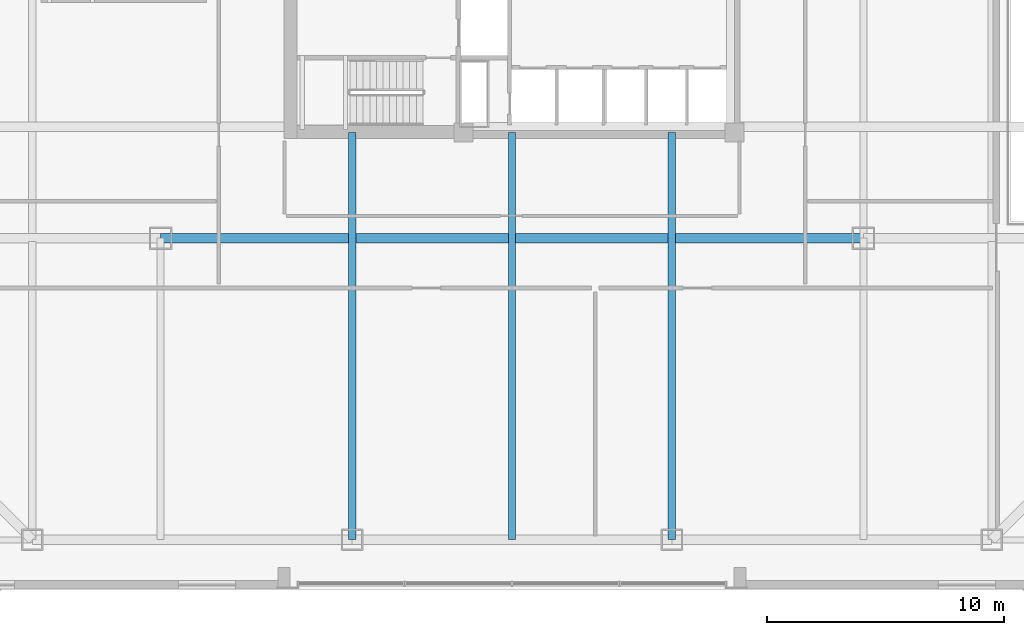
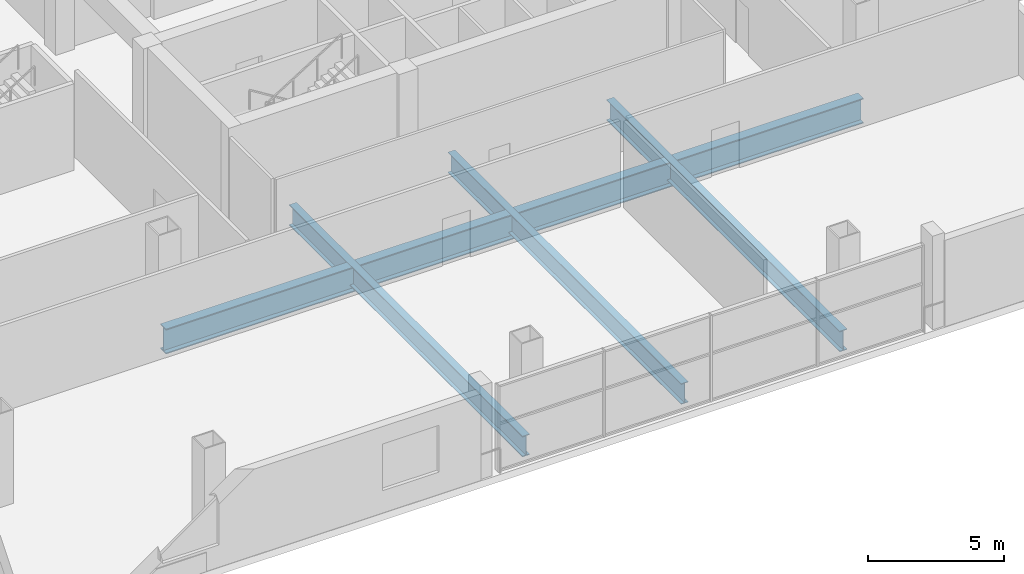
# One storey, part 5 of 21: 4 beams.
"""IFC4 building model written with IfcOpenShell, lengths in metres."""

from ifc_helpers import new_model, si_unit, direction, frame, origin, origin_2d, place, context, subcontext, project, spatial, i_section, extrude, material, material_profile, profile_set, type_object, element, save


model = new_model("IFC4")

# Units and contexts
model_context = context("Model", 3, precision=1e-05, world=origin(), true_north=direction((0.0, 1.0)))
body_context = subcontext(model_context, "Body", "Model", "MODEL_VIEW")
ifc_project = project(units=[si_unit("LENGTHUNIT", "METRE"), si_unit("AREAUNIT", "SQUARE_METRE"), si_unit("VOLUMEUNIT", "CUBIC_METRE"), si_unit("PLANEANGLEUNIT", "RADIAN"), si_unit("MASSUNIT", "GRAM", prefix="KILO")], contexts=[model_context])

# Site, building, storey
site_placement = place(None, origin())
site = spatial("IfcSite", under=ifc_project, at=site_placement, CompositionType="ELEMENT")
building_placement = place(site_placement, origin())
building = spatial("IfcBuilding", under=site, at=building_placement, Name="Qhalaya Broadcast Tower", CompositionType="ELEMENT")
storey_placement = place(building_placement, frame((0.0, 0.0, 9.300048828125)))
storey = spatial("IfcBuildingStorey", under=building, at=storey_placement, Name="L02", CompositionType="ELEMENT", Elevation=9.300048828125)

# Beams
ifc_material = material(Name="Structural Steel ASTM A992 Grade 50", Category="steel")
ifc_material_profile_1 = material_profile(ifc_material, i_section(OverallWidth=0.306884765625, OverallDepth=0.927001953125, WebThickness=0.019287109375, FlangeThickness=0.031982421875, at=origin_2d()), Name="W36X194")
ifc_profile_set_1 = profile_set([ifc_material_profile_1], Name="Structural Steel ASTM A992 Grade 50")
beam_type_1 = type_object("IfcBeamType", Name="Heavy Studio Floor Beam B01", PredefinedType="BEAM", material=ifc_profile_set_1)
for number, where, z_axis, x_axis, name in (
    (1, (-6.7333984375, -25.89990234375, -0.783447265625), (0.0, 1.0, 0.0), (-1.0, 0.0, 0.0), "L02 B01 L02-JS-CS-6.7"),
    (2, (0.0, -25.89990234375, -0.783447265625), (0.0, 1.0, 0.0), (-1.0, 0.0, 0.0), "L02 B01 L02-JS-CS+0.0"),
    (3, (6.7333984375, -25.89990234375, -0.783447265625), (0.0, 1.0, 0.0), (-1.0, 0.0, 0.0), "L02 B01 L02-JS-CS+6.7"),
):
    element("IfcBeam", number, at=place(storey_placement, frame(where, z_axis=z_axis, x_axis=x_axis)), inside=storey, type_object=beam_type_1, Name=name, PredefinedType="BEAM", context=body_context, shape_type="SweptSolid", body=[
        extrude(i_section(OverallWidth=0.306884765625, OverallDepth=0.927001953125, WebThickness=0.019287109375, FlangeThickness=0.031982421875, at=origin_2d()), origin(), (0.0, 0.0, 1.0), 17.14990234375),
    ])
ifc_material_profile_2 = material_profile(ifc_material, i_section(OverallWidth=0.404052734375, OverallDepth=1.117919921875, WebThickness=0.026123046875, FlangeThickness=0.044921875, at=origin_2d()), Name="W44X335")
ifc_profile_set_2 = profile_set([ifc_material_profile_2], Name="Structural Steel ASTM A992 Grade 50")
beam_type_2 = type_object("IfcBeamType", Name="Podium Long-Span Primary Girder PG1", PredefinedType="USERDEFINED", material=ifc_profile_set_2)
beam_placement = place(storey_placement, frame((-14.800048828125, -13.199951171875, -0.879150390625), z_axis=(1.0, 0.0, 0.0), x_axis=(0.0, 1.0, 0.0)))
element("IfcBeam", 4, at=beam_placement, inside=storey, type_object=beam_type_2, Name="L02 PG1 L02-PG-GS3", ObjectType="GIRDER", PredefinedType="USERDEFINED", context=body_context, shape_type="SweptSolid", body=[
    extrude(i_section(OverallWidth=0.404052734375, OverallDepth=1.117919921875, WebThickness=0.026123046875, FlangeThickness=0.044921875, at=origin_2d()), origin(), (0.0, 0.0, 1.0), 29.60009765625),
])

save(model, "model.ifc")
